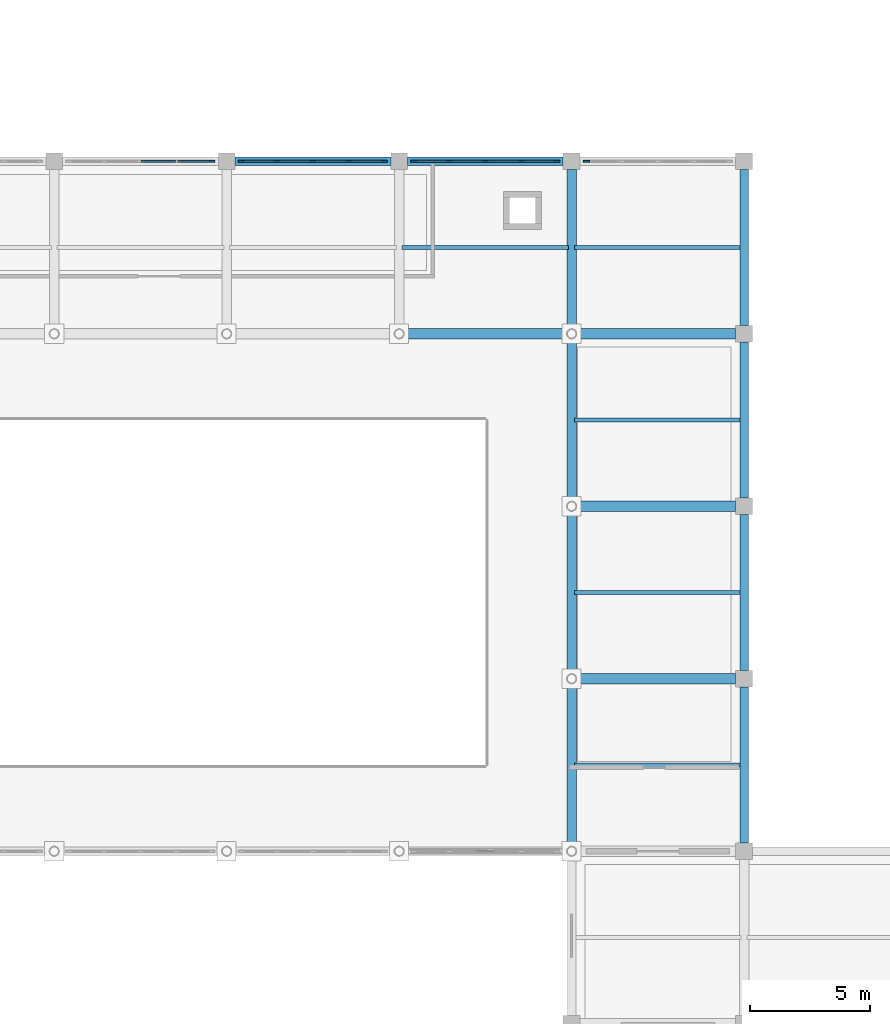
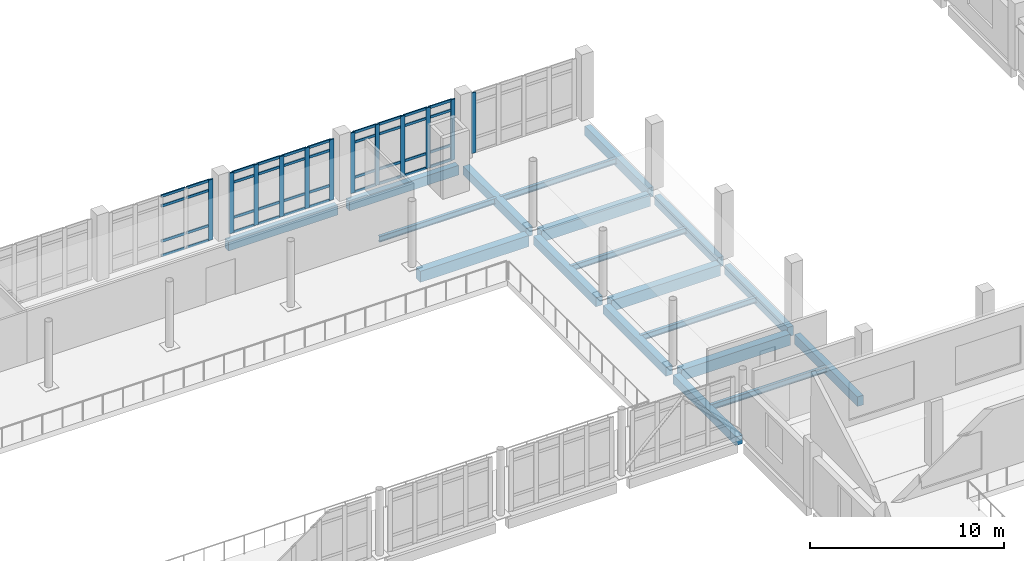
# One storey, part 21 of 62: 52 members, 19 beams, 4 elements without a shape of their own.
"""IFC4 building model written with IfcOpenShell, lengths in metres."""

import ifcopenshell
import ifcopenshell.guid

model = None  # the IFC model being written
_history = None  # IfcOwnerHistory: only IFC2X3 demands one
_inside = {}  # id of a spatial element -> (the spatial element, [elements in it])
_under = {}  # id of a project, library or spatial element -> (it, [spatial elements below it])
_declared = {}  # id of a project -> (the project, [libraries it declares])
_typed = {}  # id of a type object -> (the type object, [elements of that type])
_made_of = {}  # id of a material, layer set ... -> (it, [elements and type objects made of it])


def new_model(schema):
    """Start an empty IFC model of exactly this schema.

    Asked for "IFC4X3", IfcOpenShell would pick the latest addendum, in which some entities
    have other attributes; the version numbers below select the first issue.
    IFC2X3 requires an IfcOwnerHistory on every rooted entity: one is made here for all.
    """
    global model, _history
    if schema == "IFC4X3":
        model = ifcopenshell.file(schema_version=(4, 3, 0, 0))
    else:
        model = ifcopenshell.file(schema=schema)
    _inside.clear()
    _under.clear()
    _declared.clear()
    _typed.clear()
    _made_of.clear()
    _history = None
    if model.schema == "IFC2X3":
        org = make("IfcOrganization", Name="unknown")
        user = make(
            "IfcPersonAndOrganization",
            ThePerson=make("IfcPerson", FamilyName="unknown"),
            TheOrganization=org,
        )
        app = make(
            "IfcApplication",
            ApplicationDeveloper=org,
            Version="unknown",
            ApplicationFullName="unknown",
            ApplicationIdentifier="unknown",
        )
        _history = make(
            "IfcOwnerHistory",
            OwningUser=user,
            OwningApplication=app,
            ChangeAction="ADDED",
            CreationDate=0,
        )
    return model


def make(cls, **values):
    """One entity of the class cls with the attributes given. An attribute that is None is left unset."""
    return model.create_entity(
        cls, **{name: value for name, value in values.items() if value is not None}
    )


def rooted(cls, **values):
    """An entity with a GlobalId (a new one), such as an element, a storey or a relation."""
    return make(cls, GlobalId=ifcopenshell.guid.new(), OwnerHistory=_history, **values)


def si_unit(unit_type, name, prefix=None):
    """IfcSIUnit, for example si_unit("LENGTHUNIT", "METRE", prefix="MILLI")."""
    return make("IfcSIUnit", UnitType=unit_type, Prefix=prefix, Name=name)


def assignment(units):
    """IfcUnitAssignment: the units of a project."""
    return None if units is None else make("IfcUnitAssignment", Units=units)


def point(xyz):
    """IfcCartesianPoint."""
    return None if xyz is None else make("IfcCartesianPoint", Coordinates=xyz)


def direction(xyz):
    """IfcDirection."""
    return None if xyz is None else make("IfcDirection", DirectionRatios=xyz)


def frame(location, z_axis=None, x_axis=None):
    """IfcAxis2Placement3D, a coordinate frame: its origin and axes. An axis left out is left unset."""
    return make(
        "IfcAxis2Placement3D",
        Location=point(location),
        Axis=direction(z_axis),
        RefDirection=direction(x_axis),
    )


def frame_2d(location, x_axis=None):
    """IfcAxis2Placement2D, a coordinate frame in the plane: its origin and x axis."""
    return make(
        "IfcAxis2Placement2D", Location=point(location), RefDirection=direction(x_axis)
    )


def origin():
    """The frame at (0, 0, 0) with its axes left unset."""
    return frame((0.0, 0.0, 0.0))


def origin_2d():
    """The frame at (0, 0) in the plane with its x axis left unset."""
    return frame_2d((0.0, 0.0))


def place(relative_to, where):
    """IfcLocalPlacement: puts the frame where relative to a parent placement (None: the world)."""
    return make(
        "IfcLocalPlacement", PlacementRelTo=relative_to, RelativePlacement=where
    )


def context(
    kind, dimensions, precision=None, world=None, true_north=None, identifier=None
):
    """IfcGeometricRepresentationContext, for example the 3D "Model" context."""
    return make(
        "IfcGeometricRepresentationContext",
        ContextIdentifier=identifier,
        ContextType=kind,
        CoordinateSpaceDimension=dimensions,
        Precision=precision,
        WorldCoordinateSystem=world,
        TrueNorth=true_north,
    )


def subcontext(parent, identifier, kind, view, scale=None):
    """IfcGeometricRepresentationSubContext, for example "Body" below "Model"."""
    return make(
        "IfcGeometricRepresentationSubContext",
        ContextIdentifier=identifier,
        ContextType=kind,
        ParentContext=parent,
        TargetScale=scale,
        TargetView=view,
    )


def project(units=None, contexts=None):
    """IfcProject with its units and contexts."""
    return rooted(
        "IfcProject",
        Name="project",
        RepresentationContexts=contexts,
        UnitsInContext=assignment(units),
    )


def spatial(cls, under=None, at=None, **own):
    """A site, building, storey or space (cls), placed at a placement, below another one or the project."""
    s = rooted(cls, ObjectPlacement=at, **own)
    if under is not None:
        _under.setdefault(under.id(), (under, []))[1].append(s)
    return s


def profile(cls, at=None, kind="AREA", **sizes):
    """A parametric profile (cls). Its sizes go by their IFC names, for example OverallWidth=200.0."""
    return make(cls, ProfileType=kind, Position=at, **sizes)


def rectangle(**sizes):
    """IfcRectangleProfileDef."""
    return profile("IfcRectangleProfileDef", **sizes)


def i_section(**sizes):
    """IfcIShapeProfileDef."""
    return profile("IfcIShapeProfileDef", **sizes)


def extrude(swept, where, along, depth):
    """IfcExtrudedAreaSolid: the profile swept, set in the frame where, extruded along a direction by depth."""
    return make(
        "IfcExtrudedAreaSolid",
        SweptArea=swept,
        Position=where,
        ExtrudedDirection=direction(along),
        Depth=depth,
    )


def shape(context_of_items, identifier, shape_type, items):
    """IfcShapeRepresentation: the items that make up one representation, for example the "Body"."""
    return make(
        "IfcShapeRepresentation",
        ContextOfItems=context_of_items,
        RepresentationIdentifier=identifier,
        RepresentationType=shape_type,
        Items=items,
    )


def material(Name=None, Category=None):
    """IfcMaterial."""
    return make("IfcMaterial", Name=Name, Category=Category)


def layer(
    of_material, thickness, ventilated=None, Name=None, Category=None, Priority=None
):
    """IfcMaterialLayer: one layer of a wall or slab, of a material (None: an air gap)."""
    return make(
        "IfcMaterialLayer",
        Material=of_material,
        LayerThickness=thickness,
        IsVentilated=ventilated,
        Name=Name,
        Category=Category,
        Priority=Priority,
    )


def layer_set(layers, Name=None):
    """IfcMaterialLayerSet."""
    return make("IfcMaterialLayerSet", MaterialLayers=layers, LayerSetName=Name)


def material_profile(
    of_material, cross_section, Name=None, Category=None, Priority=None
):
    """IfcMaterialProfile: a cross section and its material."""
    return make(
        "IfcMaterialProfile",
        Name=Name,
        Material=of_material,
        Profile=cross_section,
        Priority=Priority,
        Category=Category,
    )


def profile_set(profiles, Name=None, composite=None):
    """IfcMaterialProfileSet."""
    return make(
        "IfcMaterialProfileSet",
        Name=Name,
        MaterialProfiles=profiles,
        CompositeProfile=composite,
    )


def made_of(thing, what):
    """Note that an element or type object is made of a material, layer set ...; save() writes the relation."""
    if what is not None:
        _made_of.setdefault(what.id(), (what, []))[1].append(thing)
    return thing


def type_object(cls, material=None, **own):
    """A type object (cls), such as IfcWallType, which elements share."""
    return made_of(rooted(cls, **own), material)


def element(
    cls,
    number,
    at=None,
    inside=None,
    cuts=None,
    type_object=None,
    material=None,
    context=None,
    identifier="Body",
    shape_type=None,
    held_by="IfcProductDefinitionShape",
    body=None,
    shapes=None,
    **own,
):
    """One element of the class cls, such as IfcWall. Its Tag is "e" and its number.

    at: its placement. inside: the storey or other place that contains it. cuts: it is an
    opening in that element (IfcRelVoidsElement). A single representation is given by context,
    identifier, shape_type and body (its items); several are given by shapes. held_by: the class
    of the entity that holds the representations. save() writes the other relations.
    """
    e = rooted(cls, Tag="e%d" % number, ObjectPlacement=at, **own)
    if body is not None:
        shapes = [shape(context, identifier, shape_type, body)]
    if shapes is not None:
        e.Representation = make(held_by, Representations=shapes)
    if inside is not None:
        _inside.setdefault(inside.id(), (inside, []))[1].append(e)
    if cuts is not None:
        rooted(
            "IfcRelVoidsElement", RelatingBuildingElement=cuts, RelatedOpeningElement=e
        )
    if type_object is not None:
        _typed.setdefault(type_object.id(), (type_object, []))[1].append(e)
    return made_of(e, material)


def aggregate(whole, parts):
    """IfcRelAggregates: a whole, such as a stair, and the parts it consists of."""
    return rooted("IfcRelAggregates", RelatingObject=whole, RelatedObjects=parts)


def save(model, path):
    """Write the relations noted so far, then the file.

    IfcRelAggregates (storeys below a building ...), IfcRelContainedInSpatialStructure (elements
    in a storey), IfcRelDefinesByType, IfcRelAssociatesMaterial and IfcRelDeclares: one each for
    every whole, place, type object, material and project.
    """
    for whole, parts in _under.values():
        aggregate(whole, parts)
    for where, things in _inside.values():
        rooted(
            "IfcRelContainedInSpatialStructure",
            RelatedElements=things,
            RelatingStructure=where,
        )
    for kind, things in _typed.values():
        rooted("IfcRelDefinesByType", RelatedObjects=things, RelatingType=kind)
    for what, things in _made_of.values():
        rooted("IfcRelAssociatesMaterial", RelatedObjects=things, RelatingMaterial=what)
    for by, libraries in _declared.values():
        rooted("IfcRelDeclares", RelatingContext=by, RelatedDefinitions=libraries)
    model.write(path)


model = new_model("IFC4")

# Units and contexts
model_context = context("Model", 3, precision=1e-05, world=origin(), true_north=direction((0.0, 1.0)))
body_context = subcontext(model_context, "Body", "Model", "MODEL_VIEW")
ifc_project = project(units=[si_unit("LENGTHUNIT", "METRE"), si_unit("AREAUNIT", "SQUARE_METRE"), si_unit("VOLUMEUNIT", "CUBIC_METRE"), si_unit("PLANEANGLEUNIT", "RADIAN"), si_unit("MASSUNIT", "GRAM", prefix="KILO")], contexts=[model_context])

# Site, building, storey
site_placement = place(None, origin())
site = spatial("IfcSite", under=ifc_project, at=site_placement, CompositionType="ELEMENT")
building_placement = place(site_placement, origin())
building = spatial("IfcBuilding", under=site, at=building_placement, Name="Valkovuoma Quantum and Materials Research Institute", CompositionType="ELEMENT")
storey_placement = place(building_placement, frame((0.0, 0.0, 8.9599609375)))
storey = spatial("IfcBuildingStorey", under=building, at=storey_placement, Name="L02", CompositionType="ELEMENT", Elevation=8.9599609375)

# Beams
ifc_material_1 = material(Name="Steel S355J2", Category="steel")
ifc_material_profile_1 = material_profile(ifc_material_1, i_section(OverallWidth=0.169921875, OverallDepth=0.360107421875, WebThickness=0.008056640625, FlangeThickness=0.0126953125, FilletRadius=0.01806640625, at=origin_2d()), Name="Steel S355J2")
ifc_profile_set_1 = profile_set([ifc_material_profile_1], Name="Steel S355J2")
beam_type_1 = type_object("IfcBeamType", Name="Beam-B-JST360", PredefinedType="JOIST", material=ifc_profile_set_1)
for number, where, z_axis, x_axis, name in (
    (1, (100.919921875, 39.60009765625, -0.530029296875), (1.0, 0.0, 0.0), (0.0, 1.0, 0.0), "L02 floor joist 1313"),
    (2, (100.919921875, 46.800048828125, -0.530029296875), (1.0, 0.0, 0.0), (0.0, 1.0, 0.0), "L02 floor joist 1324"),
    (3, (100.919921875, 54.0, -0.530029296875), (1.0, 0.0, 0.0), (0.0, 1.0, 0.0), "L02 floor joist 1335"),
    (4, (93.719970703125, 61.199951171875, -0.530029296875), (1.0, 0.0, 0.0), (0.0, 1.0, 0.0), "L02 floor joist 1354"),
    (5, (100.919921875, 61.199951171875, -0.530029296875), (1.0, 0.0, 0.0), (0.0, 1.0, 0.0), "L02 floor joist 1355"),
):
    element("IfcBeam", number, at=place(storey_placement, frame(where, z_axis=z_axis, x_axis=x_axis)), inside=storey, type_object=beam_type_1, Name=name, PredefinedType="JOIST", context=body_context, shape_type="SweptSolid", body=[
        extrude(i_section(OverallWidth=0.169921875, OverallDepth=0.360107421875, WebThickness=0.008056640625, FlangeThickness=0.0126953125, FilletRadius=0.01806640625, at=origin_2d()), origin(), (0.0, 0.0, 1.0), 6.9599609375),
    ])
ifc_material_2 = material(Name="Concrete C40/50", Category="concrete")
ifc_material_profile_2 = material_profile(ifc_material_2, rectangle(XDim=0.39990234375, YDim=0.550048828125, at=origin_2d()), Name="Concrete C40/50")
ifc_profile_set_2 = profile_set([ifc_material_profile_2], Name="Concrete C40/50")
beam_type_2 = type_object("IfcBeamType", Name="Beam-B-RC550", PredefinedType="BEAM", material=ifc_profile_set_2)
for number, where, z_axis, x_axis, name in (
    (6, (100.800048828125, 36.375, -0.625), (0.0, 1.0, 0.0), (-1.0, 0.0, 0.0), "L02 beam Y-1221"),
    (7, (100.800048828125, 43.574951171875, -0.625), (0.0, 1.0, 0.0), (-1.0, 0.0, 0.0), "L02 beam Y-1222"),
):
    element("IfcBeam", number, at=place(storey_placement, frame(where, z_axis=z_axis, x_axis=x_axis)), inside=storey, type_object=beam_type_2, Name=name, PredefinedType="BEAM", context=body_context, shape_type="SweptSolid", body=[
        extrude(rectangle(XDim=0.39990234375, YDim=0.550048828125, at=origin_2d()), origin(), (0.0, 0.0, 1.0), 6.449951171875),
    ])
beam_1_placement = place(storey_placement, frame((100.800048828125, 50.77490234375, -0.625), z_axis=(0.0, 1.0, 0.0), x_axis=(-1.0, 0.0, 0.0)))
element("IfcBeam", 8, at=beam_1_placement, inside=storey, type_object=beam_type_2, Name="L02 beam Y-1223", PredefinedType="BEAM", context=body_context, shape_type="SweptSolid", body=[
    extrude(rectangle(XDim=0.39990234375, YDim=0.550048828125, at=origin_2d()), origin(), (0.0, 0.0, 1.0), 6.4501953125),
])
beam_2_placement = place(storey_placement, frame((100.800048828125, 57.97509765625, -0.625), z_axis=(0.0, 1.0, 0.0), x_axis=(-1.0, 0.0, 0.0)))
element("IfcBeam", 9, at=beam_2_placement, inside=storey, type_object=beam_type_2, Name="L02 beam Y-1224", PredefinedType="BEAM", context=body_context, shape_type="SweptSolid", body=[
    extrude(rectangle(XDim=0.39990234375, YDim=0.550048828125, at=origin_2d()), origin(), (0.0, 0.0, 1.0), 6.474853515625),
])
ifc_material_3 = material(Name="Concrete C40/50", Category="concrete")
ifc_material_profile_3 = material_profile(ifc_material_3, rectangle(XDim=0.449951171875, YDim=0.699951171875, at=origin_2d()), Name="Concrete C40/50")
ifc_profile_set_3 = profile_set([ifc_material_profile_3], Name="Concrete C40/50")
beam_type_3 = type_object("IfcBeamType", Name="Beam-B-RC700", PredefinedType="BEAM", material=ifc_profile_set_3)
for number, where, z_axis, x_axis, name in (
    (10, (101.175048828125, 43.199951171875, -0.699951171875), (1.0, 0.0, 0.0), (0.0, 1.0, 0.0), "L02 beam X-1028"),
    (11, (101.175048828125, 50.39990234375, -0.699951171875), (1.0, 0.0, 0.0), (0.0, 1.0, 0.0), "L02 beam X-1039"),
):
    element("IfcBeam", number, at=place(storey_placement, frame(where, z_axis=z_axis, x_axis=x_axis)), inside=storey, type_object=beam_type_3, Name=name, PredefinedType="BEAM", context=body_context, shape_type="SweptSolid", body=[
        extrude(rectangle(XDim=0.449951171875, YDim=0.699951171875, at=origin_2d()), origin(), (0.0, 0.0, 1.0), 6.474853515625),
    ])
beam_3_placement = place(storey_placement, frame((93.97509765625, 57.60009765625, -0.699951171875), z_axis=(1.0, 0.0, 0.0), x_axis=(0.0, 1.0, 0.0)))
element("IfcBeam", 12, at=beam_3_placement, inside=storey, type_object=beam_type_3, Name="L02 beam X-1058", PredefinedType="BEAM", context=body_context, shape_type="SweptSolid", body=[
    extrude(rectangle(XDim=0.449951171875, YDim=0.699951171875, at=origin_2d()), origin(), (0.0, 0.0, 1.0), 6.449951171875),
])
beam_4_placement = place(storey_placement, frame((101.175048828125, 57.60009765625, -0.699951171875), z_axis=(1.0, 0.0, 0.0), x_axis=(0.0, 1.0, 0.0)))
element("IfcBeam", 13, at=beam_4_placement, inside=storey, type_object=beam_type_3, Name="L02 beam X-1059", PredefinedType="BEAM", context=body_context, shape_type="SweptSolid", body=[
    extrude(rectangle(XDim=0.449951171875, YDim=0.699951171875, at=origin_2d()), origin(), (0.0, 0.0, 1.0), 6.474853515625),
])
ifc_material_4 = material(Name="Concrete C40/50", Category="concrete")
ifc_material_profile_4 = material_profile(ifc_material_4, rectangle(XDim=0.35009765625, YDim=0.60009765625, at=origin_2d()), Name="Concrete C40/50")
ifc_profile_set_4 = profile_set([ifc_material_profile_4], Name="Concrete C40/50")
beam_type_4 = type_object("IfcBeamType", Name="Beam-B-SPN600", PredefinedType="SPANDREL", material=ifc_profile_set_4)
for number, where, z_axis, x_axis, name in (
    (14, (86.75, 64.800048828125, -0.64990234375), (1.0, 0.0, 0.0), (0.0, 1.0, 0.0), "L02 beam X-1077"),
    (15, (93.949951171875, 64.800048828125, -0.64990234375), (1.0, 0.0, 0.0), (0.0, 1.0, 0.0), "L02 beam X-1078"),
    (16, (108.0, 36.35009765625, -0.64990234375), (0.0, 1.0, 0.0), (-1.0, 0.0, 0.0), "L02 beam Y-1226"),
    (17, (108.0, 43.550048828125, -0.64990234375), (0.0, 1.0, 0.0), (-1.0, 0.0, 0.0), "L02 beam Y-1227"),
    (18, (108.0, 50.75, -0.64990234375), (0.0, 1.0, 0.0), (-1.0, 0.0, 0.0), "L02 beam Y-1228"),
    (19, (108.0, 57.949951171875, -0.64990234375), (0.0, 1.0, 0.0), (-1.0, 0.0, 0.0), "L02 beam Y-1229"),
):
    element("IfcBeam", number, at=place(storey_placement, frame(where, z_axis=z_axis, x_axis=x_axis)), inside=storey, type_object=beam_type_4, Name=name, PredefinedType="SPANDREL", context=body_context, shape_type="SweptSolid", body=[
        extrude(rectangle(XDim=0.35009765625, YDim=0.60009765625, at=origin_2d()), origin(), (0.0, 0.0, 1.0), 6.5),
    ])

# Curtain wall, member
ifc_material_5 = material(Name="Thermally broken aluminium and triple low-E glazing", Category="aluminium")
ifc_layer = layer(ifc_material_5, 0.219970703125)
ifc_layer_set = layer_set([ifc_layer], Name="Thermally broken aluminium and triple low-E glazing")
curtain_wall_type = type_object("IfcCurtainWallType", Name="CW-CW-02", PredefinedType="NOTDEFINED", material=ifc_layer_set)
curtain_wall_1_placement = place(storey_placement, origin())
curtain_wall_1 = element("IfcCurtainWall", 20, at=curtain_wall_1_placement, inside=storey, type_object=curtain_wall_type, Name="L02 curtain wall 195", PredefinedType="NOTDEFINED")
ifc_material_6 = material(Name="Anodised aluminium 6060-T66", Category="aluminium")
ifc_material_profile_5 = material_profile(ifc_material_6, rectangle(XDim=0.080078125, YDim=0.260009765625, at=origin_2d()), Name="Anodised aluminium 6060-T66")
ifc_profile_set_5 = profile_set([ifc_material_profile_5], Name="Anodised aluminium 6060-T66")
member_type_1 = type_object("IfcMemberType", Name="CWMull-CWM-03", PredefinedType="MULLION", material=ifc_profile_set_5)
member_1_placement = place(storey_placement, frame((85.780029296875, 64.800048828125, 0.0), z_axis=(0.0, 0.0, 1.0), x_axis=(0.0, 1.0, 0.0)))
member_1 = element("IfcMember", 21, at=member_1_placement, type_object=member_type_1, Name="CW-02 mullion 5", PredefinedType="MULLION", context=body_context, shape_type="SweptSolid", body=[
    extrude(rectangle(XDim=0.080078125, YDim=0.260009765625, at=origin_2d()), origin(), (0.0, 0.0, 1.0), 3.81005859375),
])

# Curtain wall, members
curtain_wall_2_placement = place(storey_placement, origin())
curtain_wall_2 = element("IfcCurtainWall", 22, at=curtain_wall_2_placement, inside=storey, type_object=curtain_wall_type, Name="L02 curtain wall 196", PredefinedType="NOTDEFINED")
member_2_placement = place(storey_placement, frame((87.02001953125, 64.800048828125, 0.0), z_axis=(0.0, 0.0, 1.0), x_axis=(0.0, 1.0, 0.0)))
member_2 = element("IfcMember", 23, at=member_2_placement, type_object=member_type_1, Name="CW-02 mullion 1", PredefinedType="MULLION", context=body_context, shape_type="SweptSolid", body=[
    extrude(rectangle(XDim=0.080078125, YDim=0.260009765625, at=origin_2d()), origin(), (0.0, 0.0, 1.0), 3.81005859375),
])
member_3_placement = place(storey_placement, frame((88.489990234375, 64.800048828125, 0.0), z_axis=(0.0, 0.0, 1.0), x_axis=(0.0, 1.0, 0.0)))
member_3 = element("IfcMember", 24, at=member_3_placement, type_object=member_type_1, Name="CW-02 mullion 2", PredefinedType="MULLION", context=body_context, shape_type="SweptSolid", body=[
    extrude(rectangle(XDim=0.080078125, YDim=0.260009765625, at=origin_2d()), origin(), (0.0, 0.0, 1.0), 3.81005859375),
])
member_4_placement = place(storey_placement, frame((90.0, 64.800048828125, 0.0), z_axis=(0.0, 0.0, 1.0), x_axis=(0.0, 1.0, 0.0)))
member_4 = element("IfcMember", 25, at=member_4_placement, type_object=member_type_1, Name="CW-02 mullion 3", PredefinedType="MULLION", context=body_context, shape_type="SweptSolid", body=[
    extrude(rectangle(XDim=0.080078125, YDim=0.260009765625, at=origin_2d()), origin(), (0.0, 0.0, 1.0), 3.81005859375),
])
member_5_placement = place(storey_placement, frame((91.510009765625, 64.800048828125, 0.0), z_axis=(0.0, 0.0, 1.0), x_axis=(0.0, 1.0, 0.0)))
member_5 = element("IfcMember", 26, at=member_5_placement, type_object=member_type_1, Name="CW-02 mullion 4", PredefinedType="MULLION", context=body_context, shape_type="SweptSolid", body=[
    extrude(rectangle(XDim=0.080078125, YDim=0.260009765625, at=origin_2d()), origin(), (0.0, 0.0, 1.0), 3.81005859375),
])
member_6_placement = place(storey_placement, frame((92.97998046875, 64.800048828125, 0.0), z_axis=(0.0, 0.0, 1.0), x_axis=(0.0, 1.0, 0.0)))
member_6 = element("IfcMember", 27, at=member_6_placement, type_object=member_type_1, Name="CW-02 mullion 5", PredefinedType="MULLION", context=body_context, shape_type="SweptSolid", body=[
    extrude(rectangle(XDim=0.080078125, YDim=0.260009765625, at=origin_2d()), origin(), (0.0, 0.0, 1.0), 3.81005859375),
])

curtain_wall_3_placement = place(storey_placement, origin())
curtain_wall_3 = element("IfcCurtainWall", 28, at=curtain_wall_3_placement, inside=storey, type_object=curtain_wall_type, Name="L02 curtain wall 197", PredefinedType="NOTDEFINED")
member_7_placement = place(storey_placement, frame((94.219970703125, 64.800048828125, 0.0), z_axis=(0.0, 0.0, 1.0), x_axis=(0.0, 1.0, 0.0)))
member_7 = element("IfcMember", 29, at=member_7_placement, type_object=member_type_1, Name="CW-02 mullion 1", PredefinedType="MULLION", context=body_context, shape_type="SweptSolid", body=[
    extrude(rectangle(XDim=0.080078125, YDim=0.260009765625, at=origin_2d()), origin(), (0.0, 0.0, 1.0), 3.81005859375),
])
member_8_placement = place(storey_placement, frame((95.68994140625, 64.800048828125, 0.0), z_axis=(0.0, 0.0, 1.0), x_axis=(0.0, 1.0, 0.0)))
member_8 = element("IfcMember", 30, at=member_8_placement, type_object=member_type_1, Name="CW-02 mullion 2", PredefinedType="MULLION", context=body_context, shape_type="SweptSolid", body=[
    extrude(rectangle(XDim=0.080078125, YDim=0.260009765625, at=origin_2d()), origin(), (0.0, 0.0, 1.0), 3.81005859375),
])
member_9_placement = place(storey_placement, frame((97.199951171875, 64.800048828125, 0.0), z_axis=(0.0, 0.0, 1.0), x_axis=(0.0, 1.0, 0.0)))
member_9 = element("IfcMember", 31, at=member_9_placement, type_object=member_type_1, Name="CW-02 mullion 3", PredefinedType="MULLION", context=body_context, shape_type="SweptSolid", body=[
    extrude(rectangle(XDim=0.080078125, YDim=0.260009765625, at=origin_2d()), origin(), (0.0, 0.0, 1.0), 3.81005859375),
])
member_10_placement = place(storey_placement, frame((98.7099609375, 64.800048828125, 0.0), z_axis=(0.0, 0.0, 1.0), x_axis=(0.0, 1.0, 0.0)))
member_10 = element("IfcMember", 32, at=member_10_placement, type_object=member_type_1, Name="CW-02 mullion 4", PredefinedType="MULLION", context=body_context, shape_type="SweptSolid", body=[
    extrude(rectangle(XDim=0.080078125, YDim=0.260009765625, at=origin_2d()), origin(), (0.0, 0.0, 1.0), 3.81005859375),
])
member_11_placement = place(storey_placement, frame((100.179931640625, 64.800048828125, 0.0), z_axis=(0.0, 0.0, 1.0), x_axis=(0.0, 1.0, 0.0)))
member_11 = element("IfcMember", 33, at=member_11_placement, type_object=member_type_1, Name="CW-02 mullion 5", PredefinedType="MULLION", context=body_context, shape_type="SweptSolid", body=[
    extrude(rectangle(XDim=0.080078125, YDim=0.260009765625, at=origin_2d()), origin(), (0.0, 0.0, 1.0), 3.81005859375),
])

# Curtain wall, member
curtain_wall_4_placement = place(storey_placement, origin())
curtain_wall_4 = element("IfcCurtainWall", 34, at=curtain_wall_4_placement, inside=storey, type_object=curtain_wall_type, Name="L02 curtain wall 198", PredefinedType="NOTDEFINED")
member_12_placement = place(storey_placement, frame((101.419921875, 64.800048828125, 0.0), z_axis=(0.0, 0.0, 1.0), x_axis=(0.0, 1.0, 0.0)))
member_12 = element("IfcMember", 35, at=member_12_placement, type_object=member_type_1, Name="CW-02 mullion 1", PredefinedType="MULLION", context=body_context, shape_type="SweptSolid", body=[
    extrude(rectangle(XDim=0.080078125, YDim=0.260009765625, at=origin_2d()), origin(), (0.0, 0.0, 1.0), 3.81005859375),
])
aggregate(curtain_wall_4, [member_12])

# Member
ifc_material_7 = material(Name="Anodised aluminium 6060-T66", Category="aluminium")
ifc_material_profile_6 = material_profile(ifc_material_7, rectangle(XDim=0.074951171875, YDim=0.159912109375, at=origin_2d()), Name="Anodised aluminium 6060-T66")
ifc_profile_set_6 = profile_set([ifc_material_profile_6], Name="Anodised aluminium 6060-T66")
member_type_2 = type_object("IfcMemberType", Name="CWTran-CWT-02", PredefinedType="USERDEFINED", material=ifc_profile_set_6)
member_13_placement = place(storey_placement, frame((82.840087890625, 64.800048828125, 0.03759765625), z_axis=(1.0, 0.0, 0.0), x_axis=(0.0, 1.0, 0.0)))
member_13 = element("IfcMember", 36, at=member_13_placement, type_object=member_type_2, Name="CW-02 transom 3.1", ObjectType="TRANSOM", PredefinedType="USERDEFINED", context=body_context, shape_type="SweptSolid", body=[
    extrude(rectangle(XDim=0.074951171875, YDim=0.159912109375, at=origin_2d()), origin(), (0.0, 0.0, 1.0), 1.429931640625),
])

member_14_placement = place(storey_placement, frame((82.840087890625, 64.800048828125, 0.949951171875), z_axis=(1.0, 0.0, 0.0), x_axis=(0.0, 1.0, 0.0)))
member_14 = element("IfcMember", 37, at=member_14_placement, type_object=member_type_2, Name="CW-02 transom 3.2", ObjectType="TRANSOM", PredefinedType="USERDEFINED", context=body_context, shape_type="SweptSolid", body=[
    extrude(rectangle(XDim=0.074951171875, YDim=0.159912109375, at=origin_2d()), origin(), (0.0, 0.0, 1.0), 1.429931640625),
])

member_15_placement = place(storey_placement, frame((82.840087890625, 64.800048828125, 3.16015625), z_axis=(1.0, 0.0, 0.0), x_axis=(0.0, 1.0, 0.0)))
member_15 = element("IfcMember", 38, at=member_15_placement, type_object=member_type_2, Name="CW-02 transom 3.3", ObjectType="TRANSOM", PredefinedType="USERDEFINED", context=body_context, shape_type="SweptSolid", body=[
    extrude(rectangle(XDim=0.074951171875, YDim=0.159912109375, at=origin_2d()), origin(), (0.0, 0.0, 1.0), 1.429931640625),
])

member_16_placement = place(storey_placement, frame((82.840087890625, 64.800048828125, 3.7724609375), z_axis=(1.0, 0.0, 0.0), x_axis=(0.0, 1.0, 0.0)))
member_16 = element("IfcMember", 39, at=member_16_placement, type_object=member_type_2, Name="CW-02 transom 3.4", ObjectType="TRANSOM", PredefinedType="USERDEFINED", context=body_context, shape_type="SweptSolid", body=[
    extrude(rectangle(XDim=0.074951171875, YDim=0.159912109375, at=origin_2d()), origin(), (0.0, 0.0, 1.0), 1.429931640625),
])

member_17_placement = place(storey_placement, frame((84.35009765625, 64.800048828125, 0.03759765625), z_axis=(1.0, 0.0, 0.0), x_axis=(0.0, 1.0, 0.0)))
member_17 = element("IfcMember", 40, at=member_17_placement, type_object=member_type_2, Name="CW-02 transom 4.1", ObjectType="TRANSOM", PredefinedType="USERDEFINED", context=body_context, shape_type="SweptSolid", body=[
    extrude(rectangle(XDim=0.074951171875, YDim=0.159912109375, at=origin_2d()), origin(), (0.0, 0.0, 1.0), 1.389892578125),
])

member_18_placement = place(storey_placement, frame((84.35009765625, 64.800048828125, 0.949951171875), z_axis=(1.0, 0.0, 0.0), x_axis=(0.0, 1.0, 0.0)))
member_18 = element("IfcMember", 41, at=member_18_placement, type_object=member_type_2, Name="CW-02 transom 4.2", ObjectType="TRANSOM", PredefinedType="USERDEFINED", context=body_context, shape_type="SweptSolid", body=[
    extrude(rectangle(XDim=0.074951171875, YDim=0.159912109375, at=origin_2d()), origin(), (0.0, 0.0, 1.0), 1.389892578125),
])

member_19_placement = place(storey_placement, frame((84.35009765625, 64.800048828125, 3.16015625), z_axis=(1.0, 0.0, 0.0), x_axis=(0.0, 1.0, 0.0)))
member_19 = element("IfcMember", 42, at=member_19_placement, type_object=member_type_2, Name="CW-02 transom 4.3", ObjectType="TRANSOM", PredefinedType="USERDEFINED", context=body_context, shape_type="SweptSolid", body=[
    extrude(rectangle(XDim=0.074951171875, YDim=0.159912109375, at=origin_2d()), origin(), (0.0, 0.0, 1.0), 1.389892578125),
])

member_20_placement = place(storey_placement, frame((84.35009765625, 64.800048828125, 3.7724609375), z_axis=(1.0, 0.0, 0.0), x_axis=(0.0, 1.0, 0.0)))
member_20 = element("IfcMember", 43, at=member_20_placement, type_object=member_type_2, Name="CW-02 transom 4.4", ObjectType="TRANSOM", PredefinedType="USERDEFINED", context=body_context, shape_type="SweptSolid", body=[
    extrude(rectangle(XDim=0.074951171875, YDim=0.159912109375, at=origin_2d()), origin(), (0.0, 0.0, 1.0), 1.389892578125),
])

aggregate(curtain_wall_1, [member_1, member_13, member_14, member_15, member_16, member_17, member_18, member_19, member_20])

member_21_placement = place(storey_placement, frame((87.06005859375, 64.800048828125, 0.03759765625), z_axis=(1.0, 0.0, 0.0), x_axis=(0.0, 1.0, 0.0)))
member_21 = element("IfcMember", 44, at=member_21_placement, type_object=member_type_2, Name="CW-02 transom 1.1", ObjectType="TRANSOM", PredefinedType="USERDEFINED", context=body_context, shape_type="SweptSolid", body=[
    extrude(rectangle(XDim=0.074951171875, YDim=0.159912109375, at=origin_2d()), origin(), (0.0, 0.0, 1.0), 1.389892578125),
])

member_22_placement = place(storey_placement, frame((87.06005859375, 64.800048828125, 0.949951171875), z_axis=(1.0, 0.0, 0.0), x_axis=(0.0, 1.0, 0.0)))
member_22 = element("IfcMember", 45, at=member_22_placement, type_object=member_type_2, Name="CW-02 transom 1.2", ObjectType="TRANSOM", PredefinedType="USERDEFINED", context=body_context, shape_type="SweptSolid", body=[
    extrude(rectangle(XDim=0.074951171875, YDim=0.159912109375, at=origin_2d()), origin(), (0.0, 0.0, 1.0), 1.389892578125),
])

member_23_placement = place(storey_placement, frame((87.06005859375, 64.800048828125, 3.16015625), z_axis=(1.0, 0.0, 0.0), x_axis=(0.0, 1.0, 0.0)))
member_23 = element("IfcMember", 46, at=member_23_placement, type_object=member_type_2, Name="CW-02 transom 1.3", ObjectType="TRANSOM", PredefinedType="USERDEFINED", context=body_context, shape_type="SweptSolid", body=[
    extrude(rectangle(XDim=0.074951171875, YDim=0.159912109375, at=origin_2d()), origin(), (0.0, 0.0, 1.0), 1.389892578125),
])

member_24_placement = place(storey_placement, frame((87.06005859375, 64.800048828125, 3.7724609375), z_axis=(1.0, 0.0, 0.0), x_axis=(0.0, 1.0, 0.0)))
member_24 = element("IfcMember", 47, at=member_24_placement, type_object=member_type_2, Name="CW-02 transom 1.4", ObjectType="TRANSOM", PredefinedType="USERDEFINED", context=body_context, shape_type="SweptSolid", body=[
    extrude(rectangle(XDim=0.074951171875, YDim=0.159912109375, at=origin_2d()), origin(), (0.0, 0.0, 1.0), 1.389892578125),
])

member_25_placement = place(storey_placement, frame((88.530029296875, 64.800048828125, 0.03759765625), z_axis=(1.0, 0.0, 0.0), x_axis=(0.0, 1.0, 0.0)))
member_25 = element("IfcMember", 48, at=member_25_placement, type_object=member_type_2, Name="CW-02 transom 2.1", ObjectType="TRANSOM", PredefinedType="USERDEFINED", context=body_context, shape_type="SweptSolid", body=[
    extrude(rectangle(XDim=0.074951171875, YDim=0.159912109375, at=origin_2d()), origin(), (0.0, 0.0, 1.0), 1.429931640625),
])

member_26_placement = place(storey_placement, frame((88.530029296875, 64.800048828125, 0.949951171875), z_axis=(1.0, 0.0, 0.0), x_axis=(0.0, 1.0, 0.0)))
member_26 = element("IfcMember", 49, at=member_26_placement, type_object=member_type_2, Name="CW-02 transom 2.2", ObjectType="TRANSOM", PredefinedType="USERDEFINED", context=body_context, shape_type="SweptSolid", body=[
    extrude(rectangle(XDim=0.074951171875, YDim=0.159912109375, at=origin_2d()), origin(), (0.0, 0.0, 1.0), 1.429931640625),
])

member_27_placement = place(storey_placement, frame((88.530029296875, 64.800048828125, 3.16015625), z_axis=(1.0, 0.0, 0.0), x_axis=(0.0, 1.0, 0.0)))
member_27 = element("IfcMember", 50, at=member_27_placement, type_object=member_type_2, Name="CW-02 transom 2.3", ObjectType="TRANSOM", PredefinedType="USERDEFINED", context=body_context, shape_type="SweptSolid", body=[
    extrude(rectangle(XDim=0.074951171875, YDim=0.159912109375, at=origin_2d()), origin(), (0.0, 0.0, 1.0), 1.429931640625),
])

member_28_placement = place(storey_placement, frame((88.530029296875, 64.800048828125, 3.7724609375), z_axis=(1.0, 0.0, 0.0), x_axis=(0.0, 1.0, 0.0)))
member_28 = element("IfcMember", 51, at=member_28_placement, type_object=member_type_2, Name="CW-02 transom 2.4", ObjectType="TRANSOM", PredefinedType="USERDEFINED", context=body_context, shape_type="SweptSolid", body=[
    extrude(rectangle(XDim=0.074951171875, YDim=0.159912109375, at=origin_2d()), origin(), (0.0, 0.0, 1.0), 1.429931640625),
])

member_29_placement = place(storey_placement, frame((90.0400390625, 64.800048828125, 0.03759765625), z_axis=(1.0, 0.0, 0.0), x_axis=(0.0, 1.0, 0.0)))
member_29 = element("IfcMember", 52, at=member_29_placement, type_object=member_type_2, Name="CW-02 transom 3.1", ObjectType="TRANSOM", PredefinedType="USERDEFINED", context=body_context, shape_type="SweptSolid", body=[
    extrude(rectangle(XDim=0.074951171875, YDim=0.159912109375, at=origin_2d()), origin(), (0.0, 0.0, 1.0), 1.429931640625),
])

member_30_placement = place(storey_placement, frame((90.0400390625, 64.800048828125, 0.949951171875), z_axis=(1.0, 0.0, 0.0), x_axis=(0.0, 1.0, 0.0)))
member_30 = element("IfcMember", 53, at=member_30_placement, type_object=member_type_2, Name="CW-02 transom 3.2", ObjectType="TRANSOM", PredefinedType="USERDEFINED", context=body_context, shape_type="SweptSolid", body=[
    extrude(rectangle(XDim=0.074951171875, YDim=0.159912109375, at=origin_2d()), origin(), (0.0, 0.0, 1.0), 1.429931640625),
])

member_31_placement = place(storey_placement, frame((90.0400390625, 64.800048828125, 3.16015625), z_axis=(1.0, 0.0, 0.0), x_axis=(0.0, 1.0, 0.0)))
member_31 = element("IfcMember", 54, at=member_31_placement, type_object=member_type_2, Name="CW-02 transom 3.3", ObjectType="TRANSOM", PredefinedType="USERDEFINED", context=body_context, shape_type="SweptSolid", body=[
    extrude(rectangle(XDim=0.074951171875, YDim=0.159912109375, at=origin_2d()), origin(), (0.0, 0.0, 1.0), 1.429931640625),
])

member_32_placement = place(storey_placement, frame((90.0400390625, 64.800048828125, 3.7724609375), z_axis=(1.0, 0.0, 0.0), x_axis=(0.0, 1.0, 0.0)))
member_32 = element("IfcMember", 55, at=member_32_placement, type_object=member_type_2, Name="CW-02 transom 3.4", ObjectType="TRANSOM", PredefinedType="USERDEFINED", context=body_context, shape_type="SweptSolid", body=[
    extrude(rectangle(XDim=0.074951171875, YDim=0.159912109375, at=origin_2d()), origin(), (0.0, 0.0, 1.0), 1.429931640625),
])

member_33_placement = place(storey_placement, frame((91.550048828125, 64.800048828125, 0.03759765625), z_axis=(1.0, 0.0, 0.0), x_axis=(0.0, 1.0, 0.0)))
member_33 = element("IfcMember", 56, at=member_33_placement, type_object=member_type_2, Name="CW-02 transom 4.1", ObjectType="TRANSOM", PredefinedType="USERDEFINED", context=body_context, shape_type="SweptSolid", body=[
    extrude(rectangle(XDim=0.074951171875, YDim=0.159912109375, at=origin_2d()), origin(), (0.0, 0.0, 1.0), 1.389892578125),
])

member_34_placement = place(storey_placement, frame((91.550048828125, 64.800048828125, 0.949951171875), z_axis=(1.0, 0.0, 0.0), x_axis=(0.0, 1.0, 0.0)))
member_34 = element("IfcMember", 57, at=member_34_placement, type_object=member_type_2, Name="CW-02 transom 4.2", ObjectType="TRANSOM", PredefinedType="USERDEFINED", context=body_context, shape_type="SweptSolid", body=[
    extrude(rectangle(XDim=0.074951171875, YDim=0.159912109375, at=origin_2d()), origin(), (0.0, 0.0, 1.0), 1.389892578125),
])

member_35_placement = place(storey_placement, frame((91.550048828125, 64.800048828125, 3.16015625), z_axis=(1.0, 0.0, 0.0), x_axis=(0.0, 1.0, 0.0)))
member_35 = element("IfcMember", 58, at=member_35_placement, type_object=member_type_2, Name="CW-02 transom 4.3", ObjectType="TRANSOM", PredefinedType="USERDEFINED", context=body_context, shape_type="SweptSolid", body=[
    extrude(rectangle(XDim=0.074951171875, YDim=0.159912109375, at=origin_2d()), origin(), (0.0, 0.0, 1.0), 1.389892578125),
])

member_36_placement = place(storey_placement, frame((91.550048828125, 64.800048828125, 3.7724609375), z_axis=(1.0, 0.0, 0.0), x_axis=(0.0, 1.0, 0.0)))
member_36 = element("IfcMember", 59, at=member_36_placement, type_object=member_type_2, Name="CW-02 transom 4.4", ObjectType="TRANSOM", PredefinedType="USERDEFINED", context=body_context, shape_type="SweptSolid", body=[
    extrude(rectangle(XDim=0.074951171875, YDim=0.159912109375, at=origin_2d()), origin(), (0.0, 0.0, 1.0), 1.389892578125),
])

aggregate(curtain_wall_2, [member_2, member_3, member_4, member_5, member_6, member_21, member_22, member_23, member_24, member_25, member_26, member_27, member_28, member_29, member_30, member_31, member_32, member_33, member_34, member_35, member_36])

member_37_placement = place(storey_placement, frame((94.260009765625, 64.800048828125, 0.03759765625), z_axis=(1.0, 0.0, 0.0), x_axis=(0.0, 1.0, 0.0)))
member_37 = element("IfcMember", 60, at=member_37_placement, type_object=member_type_2, Name="CW-02 transom 1.1", ObjectType="TRANSOM", PredefinedType="USERDEFINED", context=body_context, shape_type="SweptSolid", body=[
    extrude(rectangle(XDim=0.074951171875, YDim=0.159912109375, at=origin_2d()), origin(), (0.0, 0.0, 1.0), 1.389892578125),
])

member_38_placement = place(storey_placement, frame((94.260009765625, 64.800048828125, 0.949951171875), z_axis=(1.0, 0.0, 0.0), x_axis=(0.0, 1.0, 0.0)))
member_38 = element("IfcMember", 61, at=member_38_placement, type_object=member_type_2, Name="CW-02 transom 1.2", ObjectType="TRANSOM", PredefinedType="USERDEFINED", context=body_context, shape_type="SweptSolid", body=[
    extrude(rectangle(XDim=0.074951171875, YDim=0.159912109375, at=origin_2d()), origin(), (0.0, 0.0, 1.0), 1.389892578125),
])

member_39_placement = place(storey_placement, frame((94.260009765625, 64.800048828125, 3.16015625), z_axis=(1.0, 0.0, 0.0), x_axis=(0.0, 1.0, 0.0)))
member_39 = element("IfcMember", 62, at=member_39_placement, type_object=member_type_2, Name="CW-02 transom 1.3", ObjectType="TRANSOM", PredefinedType="USERDEFINED", context=body_context, shape_type="SweptSolid", body=[
    extrude(rectangle(XDim=0.074951171875, YDim=0.159912109375, at=origin_2d()), origin(), (0.0, 0.0, 1.0), 1.389892578125),
])

member_40_placement = place(storey_placement, frame((94.260009765625, 64.800048828125, 3.7724609375), z_axis=(1.0, 0.0, 0.0), x_axis=(0.0, 1.0, 0.0)))
member_40 = element("IfcMember", 63, at=member_40_placement, type_object=member_type_2, Name="CW-02 transom 1.4", ObjectType="TRANSOM", PredefinedType="USERDEFINED", context=body_context, shape_type="SweptSolid", body=[
    extrude(rectangle(XDim=0.074951171875, YDim=0.159912109375, at=origin_2d()), origin(), (0.0, 0.0, 1.0), 1.389892578125),
])

member_41_placement = place(storey_placement, frame((95.72998046875, 64.800048828125, 0.03759765625), z_axis=(1.0, 0.0, 0.0), x_axis=(0.0, 1.0, 0.0)))
member_41 = element("IfcMember", 64, at=member_41_placement, type_object=member_type_2, Name="CW-02 transom 2.1", ObjectType="TRANSOM", PredefinedType="USERDEFINED", context=body_context, shape_type="SweptSolid", body=[
    extrude(rectangle(XDim=0.074951171875, YDim=0.159912109375, at=origin_2d()), origin(), (0.0, 0.0, 1.0), 1.429931640625),
])

member_42_placement = place(storey_placement, frame((95.72998046875, 64.800048828125, 0.949951171875), z_axis=(1.0, 0.0, 0.0), x_axis=(0.0, 1.0, 0.0)))
member_42 = element("IfcMember", 65, at=member_42_placement, type_object=member_type_2, Name="CW-02 transom 2.2", ObjectType="TRANSOM", PredefinedType="USERDEFINED", context=body_context, shape_type="SweptSolid", body=[
    extrude(rectangle(XDim=0.074951171875, YDim=0.159912109375, at=origin_2d()), origin(), (0.0, 0.0, 1.0), 1.429931640625),
])

member_43_placement = place(storey_placement, frame((95.72998046875, 64.800048828125, 3.16015625), z_axis=(1.0, 0.0, 0.0), x_axis=(0.0, 1.0, 0.0)))
member_43 = element("IfcMember", 66, at=member_43_placement, type_object=member_type_2, Name="CW-02 transom 2.3", ObjectType="TRANSOM", PredefinedType="USERDEFINED", context=body_context, shape_type="SweptSolid", body=[
    extrude(rectangle(XDim=0.074951171875, YDim=0.159912109375, at=origin_2d()), origin(), (0.0, 0.0, 1.0), 1.429931640625),
])

member_44_placement = place(storey_placement, frame((95.72998046875, 64.800048828125, 3.7724609375), z_axis=(1.0, 0.0, 0.0), x_axis=(0.0, 1.0, 0.0)))
member_44 = element("IfcMember", 67, at=member_44_placement, type_object=member_type_2, Name="CW-02 transom 2.4", ObjectType="TRANSOM", PredefinedType="USERDEFINED", context=body_context, shape_type="SweptSolid", body=[
    extrude(rectangle(XDim=0.074951171875, YDim=0.159912109375, at=origin_2d()), origin(), (0.0, 0.0, 1.0), 1.429931640625),
])

member_45_placement = place(storey_placement, frame((97.239990234375, 64.800048828125, 0.03759765625), z_axis=(1.0, 0.0, 0.0), x_axis=(0.0, 1.0, 0.0)))
member_45 = element("IfcMember", 68, at=member_45_placement, type_object=member_type_2, Name="CW-02 transom 3.1", ObjectType="TRANSOM", PredefinedType="USERDEFINED", context=body_context, shape_type="SweptSolid", body=[
    extrude(rectangle(XDim=0.074951171875, YDim=0.159912109375, at=origin_2d()), origin(), (0.0, 0.0, 1.0), 1.429931640625),
])

member_46_placement = place(storey_placement, frame((97.239990234375, 64.800048828125, 0.949951171875), z_axis=(1.0, 0.0, 0.0), x_axis=(0.0, 1.0, 0.0)))
member_46 = element("IfcMember", 69, at=member_46_placement, type_object=member_type_2, Name="CW-02 transom 3.2", ObjectType="TRANSOM", PredefinedType="USERDEFINED", context=body_context, shape_type="SweptSolid", body=[
    extrude(rectangle(XDim=0.074951171875, YDim=0.159912109375, at=origin_2d()), origin(), (0.0, 0.0, 1.0), 1.429931640625),
])

member_47_placement = place(storey_placement, frame((97.239990234375, 64.800048828125, 3.16015625), z_axis=(1.0, 0.0, 0.0), x_axis=(0.0, 1.0, 0.0)))
member_47 = element("IfcMember", 70, at=member_47_placement, type_object=member_type_2, Name="CW-02 transom 3.3", ObjectType="TRANSOM", PredefinedType="USERDEFINED", context=body_context, shape_type="SweptSolid", body=[
    extrude(rectangle(XDim=0.074951171875, YDim=0.159912109375, at=origin_2d()), origin(), (0.0, 0.0, 1.0), 1.429931640625),
])

member_48_placement = place(storey_placement, frame((97.239990234375, 64.800048828125, 3.7724609375), z_axis=(1.0, 0.0, 0.0), x_axis=(0.0, 1.0, 0.0)))
member_48 = element("IfcMember", 71, at=member_48_placement, type_object=member_type_2, Name="CW-02 transom 3.4", ObjectType="TRANSOM", PredefinedType="USERDEFINED", context=body_context, shape_type="SweptSolid", body=[
    extrude(rectangle(XDim=0.074951171875, YDim=0.159912109375, at=origin_2d()), origin(), (0.0, 0.0, 1.0), 1.429931640625),
])

member_49_placement = place(storey_placement, frame((98.75, 64.800048828125, 0.03759765625), z_axis=(1.0, 0.0, 0.0), x_axis=(0.0, 1.0, 0.0)))
member_49 = element("IfcMember", 72, at=member_49_placement, type_object=member_type_2, Name="CW-02 transom 4.1", ObjectType="TRANSOM", PredefinedType="USERDEFINED", context=body_context, shape_type="SweptSolid", body=[
    extrude(rectangle(XDim=0.074951171875, YDim=0.159912109375, at=origin_2d()), origin(), (0.0, 0.0, 1.0), 1.389892578125),
])

member_50_placement = place(storey_placement, frame((98.75, 64.800048828125, 0.949951171875), z_axis=(1.0, 0.0, 0.0), x_axis=(0.0, 1.0, 0.0)))
member_50 = element("IfcMember", 73, at=member_50_placement, type_object=member_type_2, Name="CW-02 transom 4.2", ObjectType="TRANSOM", PredefinedType="USERDEFINED", context=body_context, shape_type="SweptSolid", body=[
    extrude(rectangle(XDim=0.074951171875, YDim=0.159912109375, at=origin_2d()), origin(), (0.0, 0.0, 1.0), 1.389892578125),
])

member_51_placement = place(storey_placement, frame((98.75, 64.800048828125, 3.16015625), z_axis=(1.0, 0.0, 0.0), x_axis=(0.0, 1.0, 0.0)))
member_51 = element("IfcMember", 74, at=member_51_placement, type_object=member_type_2, Name="CW-02 transom 4.3", ObjectType="TRANSOM", PredefinedType="USERDEFINED", context=body_context, shape_type="SweptSolid", body=[
    extrude(rectangle(XDim=0.074951171875, YDim=0.159912109375, at=origin_2d()), origin(), (0.0, 0.0, 1.0), 1.389892578125),
])

member_52_placement = place(storey_placement, frame((98.75, 64.800048828125, 3.7724609375), z_axis=(1.0, 0.0, 0.0), x_axis=(0.0, 1.0, 0.0)))
member_52 = element("IfcMember", 75, at=member_52_placement, type_object=member_type_2, Name="CW-02 transom 4.4", ObjectType="TRANSOM", PredefinedType="USERDEFINED", context=body_context, shape_type="SweptSolid", body=[
    extrude(rectangle(XDim=0.074951171875, YDim=0.159912109375, at=origin_2d()), origin(), (0.0, 0.0, 1.0), 1.389892578125),
])

aggregate(curtain_wall_3, [member_7, member_8, member_9, member_10, member_11, member_37, member_38, member_39, member_40, member_41, member_42, member_43, member_44, member_45, member_46, member_47, member_48, member_49, member_50, member_51, member_52])

save(model, "model.ifc")
